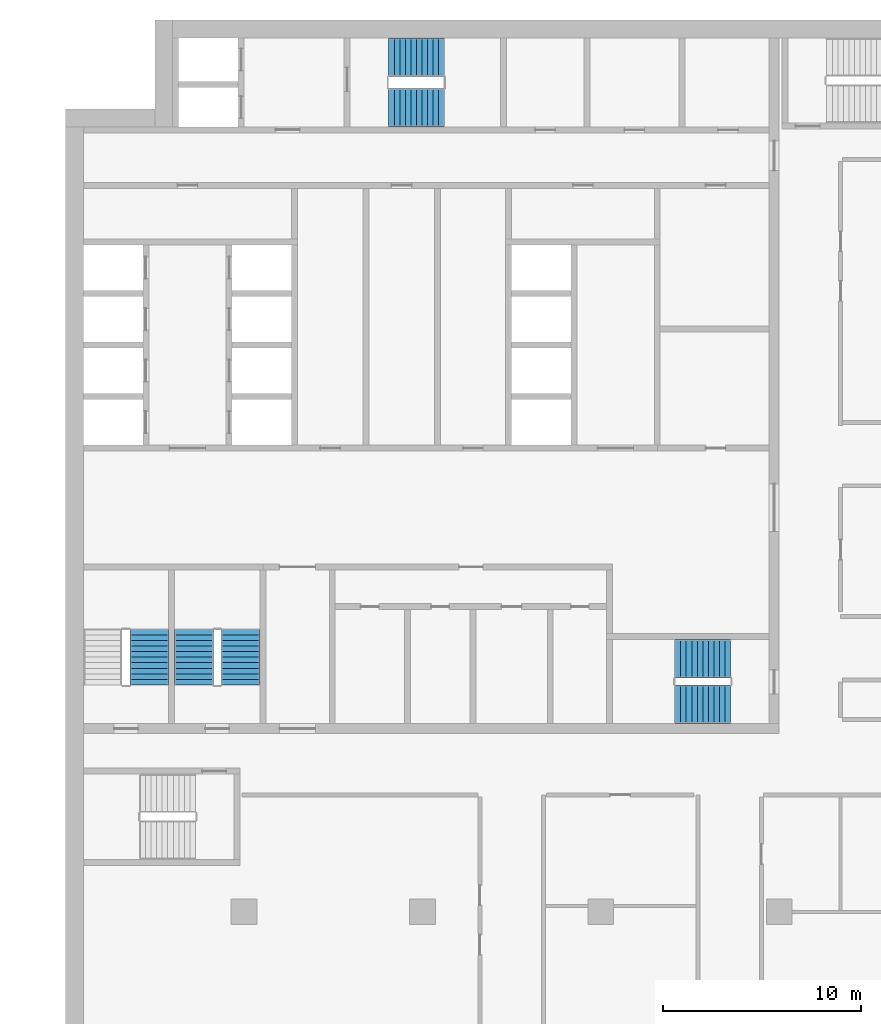
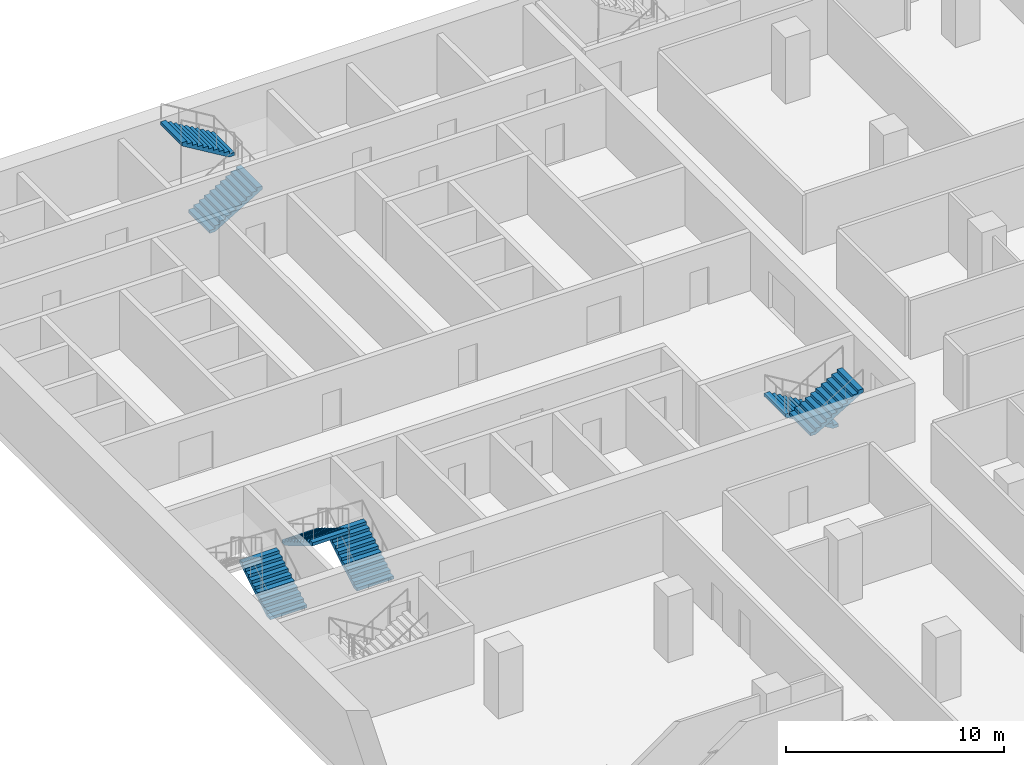
# One storey, part 17 of 23: 7 stair flights, 4 elements without a shape of their own.
"""IFC4 building model written with IfcOpenShell, lengths in metres."""

from ifc_helpers import new_model, si_unit, direction, frame, origin, place, context, subcontext, project, spatial, polyline, outline, extrude, material, type_object, element, aggregate, save


model = new_model("IFC4")

# Units and contexts
model_context = context("Model", 3, precision=1e-05, world=origin(), true_north=direction((0.0, 1.0)))
body_context = subcontext(model_context, "Body", "Model", "MODEL_VIEW")
ifc_project = project(units=[si_unit("LENGTHUNIT", "METRE"), si_unit("AREAUNIT", "SQUARE_METRE"), si_unit("VOLUMEUNIT", "CUBIC_METRE"), si_unit("PLANEANGLEUNIT", "RADIAN"), si_unit("MASSUNIT", "GRAM", prefix="KILO")], contexts=[model_context])

# Site, building, storey
site_placement = place(None, origin())
site = spatial("IfcSite", under=ifc_project, at=site_placement, CompositionType="ELEMENT")
building_placement = place(site_placement, origin())
building = spatial("IfcBuilding", under=site, at=building_placement, Name="Hunhe Ridgeline Campus", CompositionType="ELEMENT")
storey_placement = place(building_placement, frame((0.0, 0.0, 103.300048828125)))
storey = spatial("IfcBuildingStorey", under=building, at=storey_placement, Name="L25", CompositionType="ELEMENT", Elevation=103.300048828125)

# Stair, stair flights
ifc_material = material(Name="Concrete C40", Category="concrete")
stair_type = type_object("IfcStairType", Name="Reinforced concrete dog-leg stair 1950 Concrete C40", PredefinedType="HALF_TURN_STAIR", material=ifc_material)
stair_1_placement = place(storey_placement, origin())
stair_1 = element("IfcStair", 1, at=stair_1_placement, inside=storey, type_object=stair_type, Name="L25 S1", PredefinedType="HALF_TURN_STAIR")
stair_flight_type = type_object("IfcStairFlightType", Name="Reinforced concrete stair flight 1950 Concrete C40", PredefinedType="STRAIGHT", material=ifc_material)
stair_flight_1_placement = place(storey_placement, frame((16.300048828125, 94.574951171875, 0.0), z_axis=(0.0, 0.0, 1.0), x_axis=(1.0, 0.0, 0.0)))
stair_flight_1 = element("IfcStairFlight", 2, at=stair_flight_1_placement, type_object=stair_flight_type, Name="ST1 flight 1", NumberOfRisers=11, NumberOfTreads=10, PredefinedType="STRAIGHT", RiserHeight=0.168181818, TreadLength=0.28, context=body_context, shape_type="SweptSolid", body=[
    extrude(outline(polyline([(0.0, 0.0), (0.0, 0.168212890625), (0.280029296875, 0.168212890625), (0.280029296875, 0.33642578125), (0.56005859375, 0.33642578125), (0.56005859375, 0.504638671875), (0.840087890625, 0.504638671875), (0.840087890625, 0.672607421875), (1.1201171875, 0.672607421875), (1.1201171875, 0.8408203125), (1.39990234375, 0.8408203125), (1.39990234375, 1.009033203125), (1.679931640625, 1.009033203125), (1.679931640625, 1.17724609375), (1.9599609375, 1.17724609375), (1.9599609375, 1.345458984375), (2.239990234375, 1.345458984375), (2.239990234375, 1.513671875), (2.52001953125, 1.513671875), (2.52001953125, 1.681884765625), (2.800048828125, 1.681884765625), (2.800048828125, 1.85009765625), (2.800048828125, 1.5068359375), (0.291015625, 0.0), (0.0, 0.0)])), frame((0.0, 0.97509765625, 0.0), z_axis=(0.0, -1.0, 0.0), x_axis=(1.0, 0.0, 0.0)), (0.0, 0.0, 1.0), 1.949951171875),
    extrude(outline(polyline([(0.030029296875, 0.030029296875), (0.030029296875, 0.13818359375), (0.31005859375, 0.13818359375), (0.31005859375, 0.306396484375), (0.590087890625, 0.306396484375), (0.590087890625, 0.474609375), (0.8701171875, 0.474609375), (0.8701171875, 0.642578125), (1.14990234375, 0.642578125), (1.14990234375, 0.810791015625), (1.429931640625, 0.810791015625), (1.429931640625, 0.97900390625), (1.7099609375, 0.97900390625), (1.7099609375, 1.147216796875), (1.989990234375, 1.147216796875), (1.989990234375, 1.3154296875), (2.27001953125, 1.3154296875), (2.27001953125, 1.483642578125), (2.550048828125, 1.483642578125), (2.550048828125, 1.65185546875), (2.77001953125, 1.65185546875), (2.77001953125, 1.52392578125), (0.28271484375, 0.030029296875), (0.030029296875, 0.030029296875)])), frame((0.0, -0.070068359375, 0.0), z_axis=(0.0, -1.0, 0.0), x_axis=(1.0, 0.0, 0.0)), (0.0, 0.0, 1.0), 0.019775390625),
    extrude(outline(polyline([(0.030029296875, 0.030029296875), (0.030029296875, 0.13818359375), (0.31005859375, 0.13818359375), (0.31005859375, 0.306396484375), (0.590087890625, 0.306396484375), (0.590087890625, 0.474609375), (0.8701171875, 0.474609375), (0.8701171875, 0.642578125), (1.14990234375, 0.642578125), (1.14990234375, 0.810791015625), (1.429931640625, 0.810791015625), (1.429931640625, 0.97900390625), (1.7099609375, 0.97900390625), (1.7099609375, 1.147216796875), (1.989990234375, 1.147216796875), (1.989990234375, 1.3154296875), (2.27001953125, 1.3154296875), (2.27001953125, 1.483642578125), (2.550048828125, 1.483642578125), (2.550048828125, 1.65185546875), (2.77001953125, 1.65185546875), (2.77001953125, 1.52392578125), (0.28271484375, 0.030029296875), (0.030029296875, 0.030029296875)])), frame((0.0, 0.010009765625, 0.0), z_axis=(0.0, -1.0, 0.0), x_axis=(1.0, 0.0, 0.0)), (0.0, 0.0, 1.0), 0.019775390625),
    extrude(outline(polyline([(0.030029296875, 0.030029296875), (0.030029296875, 0.13818359375), (0.31005859375, 0.13818359375), (0.31005859375, 0.306396484375), (0.590087890625, 0.306396484375), (0.590087890625, 0.474609375), (0.8701171875, 0.474609375), (0.8701171875, 0.642578125), (1.14990234375, 0.642578125), (1.14990234375, 0.810791015625), (1.429931640625, 0.810791015625), (1.429931640625, 0.97900390625), (1.7099609375, 0.97900390625), (1.7099609375, 1.147216796875), (1.989990234375, 1.147216796875), (1.989990234375, 1.3154296875), (2.27001953125, 1.3154296875), (2.27001953125, 1.483642578125), (2.550048828125, 1.483642578125), (2.550048828125, 1.65185546875), (2.77001953125, 1.65185546875), (2.77001953125, 1.52392578125), (0.28271484375, 0.030029296875), (0.030029296875, 0.030029296875)])), frame((0.0, 0.090087890625, 0.0), z_axis=(0.0, -1.0, 0.0), x_axis=(1.0, 0.0, 0.0)), (0.0, 0.0, 1.0), 0.019775390625),
])
stair_flight_2_placement = place(storey_placement, frame((19.10009765625, 97.125, 1.849853515625), z_axis=(0.0, 0.0, 1.0), x_axis=(-1.0, 0.0, 0.0)))
stair_flight_2 = element("IfcStairFlight", 3, at=stair_flight_2_placement, type_object=stair_flight_type, Name="ST1 flight 2", NumberOfRisers=11, NumberOfTreads=10, PredefinedType="STRAIGHT", RiserHeight=0.168181818, TreadLength=0.28, context=body_context, shape_type="SweptSolid", body=[
    extrude(outline(polyline([(0.0, 0.0), (0.0, 0.168212890625), (0.280029296875, 0.168212890625), (0.280029296875, 0.33642578125), (0.56005859375, 0.33642578125), (0.56005859375, 0.504638671875), (0.840087890625, 0.504638671875), (0.840087890625, 0.672607421875), (1.1201171875, 0.672607421875), (1.1201171875, 0.8408203125), (1.39990234375, 0.8408203125), (1.39990234375, 1.009033203125), (1.679931640625, 1.009033203125), (1.679931640625, 1.17724609375), (1.9599609375, 1.17724609375), (1.9599609375, 1.345458984375), (2.239990234375, 1.345458984375), (2.239990234375, 1.513671875), (2.52001953125, 1.513671875), (2.52001953125, 1.681884765625), (2.800048828125, 1.681884765625), (2.800048828125, 1.85009765625), (2.800048828125, 1.5068359375), (0.291015625, 0.0), (0.0, 0.0)])), frame((0.0, 0.97509765625, 0.0), z_axis=(0.0, -1.0, 0.0), x_axis=(1.0, 0.0, 0.0)), (0.0, 0.0, 1.0), 1.949951171875),
    extrude(outline(polyline([(0.030029296875, 0.030029296875), (0.030029296875, 0.13818359375), (0.31005859375, 0.13818359375), (0.31005859375, 0.306396484375), (0.590087890625, 0.306396484375), (0.590087890625, 0.474609375), (0.8701171875, 0.474609375), (0.8701171875, 0.642578125), (1.14990234375, 0.642578125), (1.14990234375, 0.810791015625), (1.429931640625, 0.810791015625), (1.429931640625, 0.97900390625), (1.7099609375, 0.97900390625), (1.7099609375, 1.147216796875), (1.989990234375, 1.147216796875), (1.989990234375, 1.3154296875), (2.27001953125, 1.3154296875), (2.27001953125, 1.483642578125), (2.550048828125, 1.483642578125), (2.550048828125, 1.65185546875), (2.77001953125, 1.65185546875), (2.77001953125, 1.52392578125), (0.28271484375, 0.030029296875), (0.030029296875, 0.030029296875)])), frame((0.0, -0.070068359375, 0.0), z_axis=(0.0, -1.0, 0.0), x_axis=(1.0, 0.0, 0.0)), (0.0, 0.0, 1.0), 0.019775390625),
    extrude(outline(polyline([(0.030029296875, 0.030029296875), (0.030029296875, 0.13818359375), (0.31005859375, 0.13818359375), (0.31005859375, 0.306396484375), (0.590087890625, 0.306396484375), (0.590087890625, 0.474609375), (0.8701171875, 0.474609375), (0.8701171875, 0.642578125), (1.14990234375, 0.642578125), (1.14990234375, 0.810791015625), (1.429931640625, 0.810791015625), (1.429931640625, 0.97900390625), (1.7099609375, 0.97900390625), (1.7099609375, 1.147216796875), (1.989990234375, 1.147216796875), (1.989990234375, 1.3154296875), (2.27001953125, 1.3154296875), (2.27001953125, 1.483642578125), (2.550048828125, 1.483642578125), (2.550048828125, 1.65185546875), (2.77001953125, 1.65185546875), (2.77001953125, 1.52392578125), (0.28271484375, 0.030029296875), (0.030029296875, 0.030029296875)])), frame((0.0, 0.010009765625, 0.0), z_axis=(0.0, -1.0, 0.0), x_axis=(1.0, 0.0, 0.0)), (0.0, 0.0, 1.0), 0.019775390625),
    extrude(outline(polyline([(0.030029296875, 0.030029296875), (0.030029296875, 0.13818359375), (0.31005859375, 0.13818359375), (0.31005859375, 0.306396484375), (0.590087890625, 0.306396484375), (0.590087890625, 0.474609375), (0.8701171875, 0.474609375), (0.8701171875, 0.642578125), (1.14990234375, 0.642578125), (1.14990234375, 0.810791015625), (1.429931640625, 0.810791015625), (1.429931640625, 0.97900390625), (1.7099609375, 0.97900390625), (1.7099609375, 1.147216796875), (1.989990234375, 1.147216796875), (1.989990234375, 1.3154296875), (2.27001953125, 1.3154296875), (2.27001953125, 1.483642578125), (2.550048828125, 1.483642578125), (2.550048828125, 1.65185546875), (2.77001953125, 1.65185546875), (2.77001953125, 1.52392578125), (0.28271484375, 0.030029296875), (0.030029296875, 0.030029296875)])), frame((0.0, 0.090087890625, 0.0), z_axis=(0.0, -1.0, 0.0), x_axis=(1.0, 0.0, 0.0)), (0.0, 0.0, 1.0), 0.019775390625),
])
aggregate(stair_1, [stair_flight_1, stair_flight_2])

stair_2_placement = place(storey_placement, origin())
stair_2 = element("IfcStair", 4, at=stair_2_placement, inside=storey, type_object=stair_type, Name="L25 S2", PredefinedType="HALF_TURN_STAIR")
stair_flight_3_placement = place(storey_placement, frame((33.550048828125, 66.77490234375, 0.0), z_axis=(0.0, 0.0, 1.0), x_axis=(-1.0, 0.0, 0.0)))
stair_flight_3 = element("IfcStairFlight", 5, at=stair_flight_3_placement, type_object=stair_flight_type, Name="ST2 flight 1", NumberOfRisers=11, NumberOfTreads=10, PredefinedType="STRAIGHT", RiserHeight=0.168181818, TreadLength=0.28, context=body_context, shape_type="SweptSolid", body=[
    extrude(outline(polyline([(0.0, 0.0), (0.0, 0.168212890625), (0.280029296875, 0.168212890625), (0.280029296875, 0.33642578125), (0.56005859375, 0.33642578125), (0.56005859375, 0.504638671875), (0.840087890625, 0.504638671875), (0.840087890625, 0.672607421875), (1.1201171875, 0.672607421875), (1.1201171875, 0.8408203125), (1.39990234375, 0.8408203125), (1.39990234375, 1.009033203125), (1.679931640625, 1.009033203125), (1.679931640625, 1.17724609375), (1.9599609375, 1.17724609375), (1.9599609375, 1.345458984375), (2.239990234375, 1.345458984375), (2.239990234375, 1.513671875), (2.52001953125, 1.513671875), (2.52001953125, 1.681884765625), (2.800048828125, 1.681884765625), (2.800048828125, 1.85009765625), (2.800048828125, 1.5068359375), (0.291015625, 0.0), (0.0, 0.0)])), frame((0.0, 0.97509765625, 0.0), z_axis=(0.0, -1.0, 0.0), x_axis=(1.0, 0.0, 0.0)), (0.0, 0.0, 1.0), 1.949951171875),
    extrude(outline(polyline([(0.030029296875, 0.030029296875), (0.030029296875, 0.13818359375), (0.31005859375, 0.13818359375), (0.31005859375, 0.306396484375), (0.590087890625, 0.306396484375), (0.590087890625, 0.474609375), (0.8701171875, 0.474609375), (0.8701171875, 0.642578125), (1.14990234375, 0.642578125), (1.14990234375, 0.810791015625), (1.429931640625, 0.810791015625), (1.429931640625, 0.97900390625), (1.7099609375, 0.97900390625), (1.7099609375, 1.147216796875), (1.989990234375, 1.147216796875), (1.989990234375, 1.3154296875), (2.27001953125, 1.3154296875), (2.27001953125, 1.483642578125), (2.550048828125, 1.483642578125), (2.550048828125, 1.65185546875), (2.77001953125, 1.65185546875), (2.77001953125, 1.52392578125), (0.28271484375, 0.030029296875), (0.030029296875, 0.030029296875)])), frame((0.0, -0.070068359375, 0.0), z_axis=(0.0, -1.0, 0.0), x_axis=(1.0, 0.0, 0.0)), (0.0, 0.0, 1.0), 0.019775390625),
    extrude(outline(polyline([(0.030029296875, 0.030029296875), (0.030029296875, 0.13818359375), (0.31005859375, 0.13818359375), (0.31005859375, 0.306396484375), (0.590087890625, 0.306396484375), (0.590087890625, 0.474609375), (0.8701171875, 0.474609375), (0.8701171875, 0.642578125), (1.14990234375, 0.642578125), (1.14990234375, 0.810791015625), (1.429931640625, 0.810791015625), (1.429931640625, 0.97900390625), (1.7099609375, 0.97900390625), (1.7099609375, 1.147216796875), (1.989990234375, 1.147216796875), (1.989990234375, 1.3154296875), (2.27001953125, 1.3154296875), (2.27001953125, 1.483642578125), (2.550048828125, 1.483642578125), (2.550048828125, 1.65185546875), (2.77001953125, 1.65185546875), (2.77001953125, 1.52392578125), (0.28271484375, 0.030029296875), (0.030029296875, 0.030029296875)])), frame((0.0, 0.010009765625, 0.0), z_axis=(0.0, -1.0, 0.0), x_axis=(1.0, 0.0, 0.0)), (0.0, 0.0, 1.0), 0.019775390625),
    extrude(outline(polyline([(0.030029296875, 0.030029296875), (0.030029296875, 0.13818359375), (0.31005859375, 0.13818359375), (0.31005859375, 0.306396484375), (0.590087890625, 0.306396484375), (0.590087890625, 0.474609375), (0.8701171875, 0.474609375), (0.8701171875, 0.642578125), (1.14990234375, 0.642578125), (1.14990234375, 0.810791015625), (1.429931640625, 0.810791015625), (1.429931640625, 0.97900390625), (1.7099609375, 0.97900390625), (1.7099609375, 1.147216796875), (1.989990234375, 1.147216796875), (1.989990234375, 1.3154296875), (2.27001953125, 1.3154296875), (2.27001953125, 1.483642578125), (2.550048828125, 1.483642578125), (2.550048828125, 1.65185546875), (2.77001953125, 1.65185546875), (2.77001953125, 1.52392578125), (0.28271484375, 0.030029296875), (0.030029296875, 0.030029296875)])), frame((0.0, 0.090087890625, 0.0), z_axis=(0.0, -1.0, 0.0), x_axis=(1.0, 0.0, 0.0)), (0.0, 0.0, 1.0), 0.019775390625),
])
stair_flight_4_placement = place(storey_placement, frame((30.75, 64.47509765625, 1.849853515625), z_axis=(0.0, 0.0, 1.0), x_axis=(1.0, 0.0, 0.0)))
stair_flight_4 = element("IfcStairFlight", 6, at=stair_flight_4_placement, type_object=stair_flight_type, Name="ST2 flight 2", NumberOfRisers=11, NumberOfTreads=10, PredefinedType="STRAIGHT", RiserHeight=0.168181818, TreadLength=0.28, context=body_context, shape_type="SweptSolid", body=[
    extrude(outline(polyline([(0.0, 0.0), (0.0, 0.168212890625), (0.280029296875, 0.168212890625), (0.280029296875, 0.33642578125), (0.56005859375, 0.33642578125), (0.56005859375, 0.504638671875), (0.840087890625, 0.504638671875), (0.840087890625, 0.672607421875), (1.1201171875, 0.672607421875), (1.1201171875, 0.8408203125), (1.39990234375, 0.8408203125), (1.39990234375, 1.009033203125), (1.679931640625, 1.009033203125), (1.679931640625, 1.17724609375), (1.9599609375, 1.17724609375), (1.9599609375, 1.345458984375), (2.239990234375, 1.345458984375), (2.239990234375, 1.513671875), (2.52001953125, 1.513671875), (2.52001953125, 1.681884765625), (2.800048828125, 1.681884765625), (2.800048828125, 1.85009765625), (2.800048828125, 1.5068359375), (0.291015625, 0.0), (0.0, 0.0)])), frame((0.0, 0.97509765625, 0.0), z_axis=(0.0, -1.0, 0.0), x_axis=(1.0, 0.0, 0.0)), (0.0, 0.0, 1.0), 1.949951171875),
    extrude(outline(polyline([(0.030029296875, 0.030029296875), (0.030029296875, 0.13818359375), (0.31005859375, 0.13818359375), (0.31005859375, 0.306396484375), (0.590087890625, 0.306396484375), (0.590087890625, 0.474609375), (0.8701171875, 0.474609375), (0.8701171875, 0.642578125), (1.14990234375, 0.642578125), (1.14990234375, 0.810791015625), (1.429931640625, 0.810791015625), (1.429931640625, 0.97900390625), (1.7099609375, 0.97900390625), (1.7099609375, 1.147216796875), (1.989990234375, 1.147216796875), (1.989990234375, 1.3154296875), (2.27001953125, 1.3154296875), (2.27001953125, 1.483642578125), (2.550048828125, 1.483642578125), (2.550048828125, 1.65185546875), (2.77001953125, 1.65185546875), (2.77001953125, 1.52392578125), (0.28271484375, 0.030029296875), (0.030029296875, 0.030029296875)])), frame((0.0, -0.070068359375, 0.0), z_axis=(0.0, -1.0, 0.0), x_axis=(1.0, 0.0, 0.0)), (0.0, 0.0, 1.0), 0.019775390625),
    extrude(outline(polyline([(0.030029296875, 0.030029296875), (0.030029296875, 0.13818359375), (0.31005859375, 0.13818359375), (0.31005859375, 0.306396484375), (0.590087890625, 0.306396484375), (0.590087890625, 0.474609375), (0.8701171875, 0.474609375), (0.8701171875, 0.642578125), (1.14990234375, 0.642578125), (1.14990234375, 0.810791015625), (1.429931640625, 0.810791015625), (1.429931640625, 0.97900390625), (1.7099609375, 0.97900390625), (1.7099609375, 1.147216796875), (1.989990234375, 1.147216796875), (1.989990234375, 1.3154296875), (2.27001953125, 1.3154296875), (2.27001953125, 1.483642578125), (2.550048828125, 1.483642578125), (2.550048828125, 1.65185546875), (2.77001953125, 1.65185546875), (2.77001953125, 1.52392578125), (0.28271484375, 0.030029296875), (0.030029296875, 0.030029296875)])), frame((0.0, 0.010009765625, 0.0), z_axis=(0.0, -1.0, 0.0), x_axis=(1.0, 0.0, 0.0)), (0.0, 0.0, 1.0), 0.019775390625),
    extrude(outline(polyline([(0.030029296875, 0.030029296875), (0.030029296875, 0.13818359375), (0.31005859375, 0.13818359375), (0.31005859375, 0.306396484375), (0.590087890625, 0.306396484375), (0.590087890625, 0.474609375), (0.8701171875, 0.474609375), (0.8701171875, 0.642578125), (1.14990234375, 0.642578125), (1.14990234375, 0.810791015625), (1.429931640625, 0.810791015625), (1.429931640625, 0.97900390625), (1.7099609375, 0.97900390625), (1.7099609375, 1.147216796875), (1.989990234375, 1.147216796875), (1.989990234375, 1.3154296875), (2.27001953125, 1.3154296875), (2.27001953125, 1.483642578125), (2.550048828125, 1.483642578125), (2.550048828125, 1.65185546875), (2.77001953125, 1.65185546875), (2.77001953125, 1.52392578125), (0.28271484375, 0.030029296875), (0.030029296875, 0.030029296875)])), frame((0.0, 0.090087890625, 0.0), z_axis=(0.0, -1.0, 0.0), x_axis=(1.0, 0.0, 0.0)), (0.0, 0.0, 1.0), 0.019775390625),
])
aggregate(stair_2, [stair_flight_3, stair_flight_4])

# Stair, stair flight
stair_3_placement = place(storey_placement, origin())
stair_3 = element("IfcStair", 7, at=stair_3_placement, inside=storey, type_object=stair_type, Name="L25 S3", PredefinedType="HALF_TURN_STAIR")
stair_flight_5_placement = place(storey_placement, frame((4.22509765625, 65.449951171875, 0.0), z_axis=(0.0, 0.0, 1.0), x_axis=(0.0, 1.0, 0.0)))
stair_flight_5 = element("IfcStairFlight", 8, at=stair_flight_5_placement, type_object=stair_flight_type, Name="ST3 flight 1", NumberOfRisers=11, NumberOfTreads=10, PredefinedType="STRAIGHT", RiserHeight=0.168181818, TreadLength=0.28, context=body_context, shape_type="SweptSolid", body=[
    extrude(outline(polyline([(0.0, 0.0), (0.0, 0.168212890625), (0.280029296875, 0.168212890625), (0.280029296875, 0.33642578125), (0.56005859375, 0.33642578125), (0.56005859375, 0.504638671875), (0.840087890625, 0.504638671875), (0.840087890625, 0.672607421875), (1.1201171875, 0.672607421875), (1.1201171875, 0.8408203125), (1.39990234375, 0.8408203125), (1.39990234375, 1.009033203125), (1.679931640625, 1.009033203125), (1.679931640625, 1.17724609375), (1.9599609375, 1.17724609375), (1.9599609375, 1.345458984375), (2.239990234375, 1.345458984375), (2.239990234375, 1.513671875), (2.52001953125, 1.513671875), (2.52001953125, 1.681884765625), (2.800048828125, 1.681884765625), (2.800048828125, 1.85009765625), (2.800048828125, 1.5068359375), (0.291015625, 0.0), (0.0, 0.0)])), frame((0.0, 0.97509765625, 0.0), z_axis=(0.0, -1.0, 0.0), x_axis=(1.0, 0.0, 0.0)), (0.0, 0.0, 1.0), 1.949951171875),
    extrude(outline(polyline([(0.030029296875, 0.030029296875), (0.030029296875, 0.13818359375), (0.31005859375, 0.13818359375), (0.31005859375, 0.306396484375), (0.590087890625, 0.306396484375), (0.590087890625, 0.474609375), (0.8701171875, 0.474609375), (0.8701171875, 0.642578125), (1.14990234375, 0.642578125), (1.14990234375, 0.810791015625), (1.429931640625, 0.810791015625), (1.429931640625, 0.97900390625), (1.7099609375, 0.97900390625), (1.7099609375, 1.147216796875), (1.989990234375, 1.147216796875), (1.989990234375, 1.3154296875), (2.27001953125, 1.3154296875), (2.27001953125, 1.483642578125), (2.550048828125, 1.483642578125), (2.550048828125, 1.65185546875), (2.77001953125, 1.65185546875), (2.77001953125, 1.52392578125), (0.28271484375, 0.030029296875), (0.030029296875, 0.030029296875)])), frame((0.0, -0.070068359375, 0.0), z_axis=(0.0, -1.0, 0.0), x_axis=(1.0, 0.0, 0.0)), (0.0, 0.0, 1.0), 0.019775390625),
    extrude(outline(polyline([(0.030029296875, 0.030029296875), (0.030029296875, 0.13818359375), (0.31005859375, 0.13818359375), (0.31005859375, 0.306396484375), (0.590087890625, 0.306396484375), (0.590087890625, 0.474609375), (0.8701171875, 0.474609375), (0.8701171875, 0.642578125), (1.14990234375, 0.642578125), (1.14990234375, 0.810791015625), (1.429931640625, 0.810791015625), (1.429931640625, 0.97900390625), (1.7099609375, 0.97900390625), (1.7099609375, 1.147216796875), (1.989990234375, 1.147216796875), (1.989990234375, 1.3154296875), (2.27001953125, 1.3154296875), (2.27001953125, 1.483642578125), (2.550048828125, 1.483642578125), (2.550048828125, 1.65185546875), (2.77001953125, 1.65185546875), (2.77001953125, 1.52392578125), (0.28271484375, 0.030029296875), (0.030029296875, 0.030029296875)])), frame((0.0, 0.010009765625, 0.0), z_axis=(0.0, -1.0, 0.0), x_axis=(1.0, 0.0, 0.0)), (0.0, 0.0, 1.0), 0.019775390625),
    extrude(outline(polyline([(0.030029296875, 0.030029296875), (0.030029296875, 0.13818359375), (0.31005859375, 0.13818359375), (0.31005859375, 0.306396484375), (0.590087890625, 0.306396484375), (0.590087890625, 0.474609375), (0.8701171875, 0.474609375), (0.8701171875, 0.642578125), (1.14990234375, 0.642578125), (1.14990234375, 0.810791015625), (1.429931640625, 0.810791015625), (1.429931640625, 0.97900390625), (1.7099609375, 0.97900390625), (1.7099609375, 1.147216796875), (1.989990234375, 1.147216796875), (1.989990234375, 1.3154296875), (2.27001953125, 1.3154296875), (2.27001953125, 1.483642578125), (2.550048828125, 1.483642578125), (2.550048828125, 1.65185546875), (2.77001953125, 1.65185546875), (2.77001953125, 1.52392578125), (0.28271484375, 0.030029296875), (0.030029296875, 0.030029296875)])), frame((0.0, 0.090087890625, 0.0), z_axis=(0.0, -1.0, 0.0), x_axis=(1.0, 0.0, 0.0)), (0.0, 0.0, 1.0), 0.019775390625),
])
aggregate(stair_3, [stair_flight_5])

# Stair, stair flights
stair_4_placement = place(storey_placement, origin())
stair_4 = element("IfcStair", 9, at=stair_4_placement, inside=storey, type_object=stair_type, Name="L25 S4", PredefinedType="HALF_TURN_STAIR")
stair_flight_6_placement = place(storey_placement, frame((8.824951171875, 65.449951171875, 0.0), z_axis=(0.0, 0.0, 1.0), x_axis=(0.0, 1.0, 0.0)))
stair_flight_6 = element("IfcStairFlight", 10, at=stair_flight_6_placement, type_object=stair_flight_type, Name="ST4 flight 1", NumberOfRisers=11, NumberOfTreads=10, PredefinedType="STRAIGHT", RiserHeight=0.168181818, TreadLength=0.28, context=body_context, shape_type="SweptSolid", body=[
    extrude(outline(polyline([(0.0, 0.0), (0.0, 0.168212890625), (0.280029296875, 0.168212890625), (0.280029296875, 0.33642578125), (0.56005859375, 0.33642578125), (0.56005859375, 0.504638671875), (0.840087890625, 0.504638671875), (0.840087890625, 0.672607421875), (1.1201171875, 0.672607421875), (1.1201171875, 0.8408203125), (1.39990234375, 0.8408203125), (1.39990234375, 1.009033203125), (1.679931640625, 1.009033203125), (1.679931640625, 1.17724609375), (1.9599609375, 1.17724609375), (1.9599609375, 1.345458984375), (2.239990234375, 1.345458984375), (2.239990234375, 1.513671875), (2.52001953125, 1.513671875), (2.52001953125, 1.681884765625), (2.800048828125, 1.681884765625), (2.800048828125, 1.85009765625), (2.800048828125, 1.5068359375), (0.291015625, 0.0), (0.0, 0.0)])), frame((0.0, 0.97509765625, 0.0), z_axis=(0.0, -1.0, 0.0), x_axis=(1.0, 0.0, 0.0)), (0.0, 0.0, 1.0), 1.949951171875),
    extrude(outline(polyline([(0.030029296875, 0.030029296875), (0.030029296875, 0.13818359375), (0.31005859375, 0.13818359375), (0.31005859375, 0.306396484375), (0.590087890625, 0.306396484375), (0.590087890625, 0.474609375), (0.8701171875, 0.474609375), (0.8701171875, 0.642578125), (1.14990234375, 0.642578125), (1.14990234375, 0.810791015625), (1.429931640625, 0.810791015625), (1.429931640625, 0.97900390625), (1.7099609375, 0.97900390625), (1.7099609375, 1.147216796875), (1.989990234375, 1.147216796875), (1.989990234375, 1.3154296875), (2.27001953125, 1.3154296875), (2.27001953125, 1.483642578125), (2.550048828125, 1.483642578125), (2.550048828125, 1.65185546875), (2.77001953125, 1.65185546875), (2.77001953125, 1.52392578125), (0.28271484375, 0.030029296875), (0.030029296875, 0.030029296875)])), frame((0.0, -0.070068359375, 0.0), z_axis=(0.0, -1.0, 0.0), x_axis=(1.0, 0.0, 0.0)), (0.0, 0.0, 1.0), 0.019775390625),
    extrude(outline(polyline([(0.030029296875, 0.030029296875), (0.030029296875, 0.13818359375), (0.31005859375, 0.13818359375), (0.31005859375, 0.306396484375), (0.590087890625, 0.306396484375), (0.590087890625, 0.474609375), (0.8701171875, 0.474609375), (0.8701171875, 0.642578125), (1.14990234375, 0.642578125), (1.14990234375, 0.810791015625), (1.429931640625, 0.810791015625), (1.429931640625, 0.97900390625), (1.7099609375, 0.97900390625), (1.7099609375, 1.147216796875), (1.989990234375, 1.147216796875), (1.989990234375, 1.3154296875), (2.27001953125, 1.3154296875), (2.27001953125, 1.483642578125), (2.550048828125, 1.483642578125), (2.550048828125, 1.65185546875), (2.77001953125, 1.65185546875), (2.77001953125, 1.52392578125), (0.28271484375, 0.030029296875), (0.030029296875, 0.030029296875)])), frame((0.0, 0.010009765625, 0.0), z_axis=(0.0, -1.0, 0.0), x_axis=(1.0, 0.0, 0.0)), (0.0, 0.0, 1.0), 0.019775390625),
    extrude(outline(polyline([(0.030029296875, 0.030029296875), (0.030029296875, 0.13818359375), (0.31005859375, 0.13818359375), (0.31005859375, 0.306396484375), (0.590087890625, 0.306396484375), (0.590087890625, 0.474609375), (0.8701171875, 0.474609375), (0.8701171875, 0.642578125), (1.14990234375, 0.642578125), (1.14990234375, 0.810791015625), (1.429931640625, 0.810791015625), (1.429931640625, 0.97900390625), (1.7099609375, 0.97900390625), (1.7099609375, 1.147216796875), (1.989990234375, 1.147216796875), (1.989990234375, 1.3154296875), (2.27001953125, 1.3154296875), (2.27001953125, 1.483642578125), (2.550048828125, 1.483642578125), (2.550048828125, 1.65185546875), (2.77001953125, 1.65185546875), (2.77001953125, 1.52392578125), (0.28271484375, 0.030029296875), (0.030029296875, 0.030029296875)])), frame((0.0, 0.090087890625, 0.0), z_axis=(0.0, -1.0, 0.0), x_axis=(1.0, 0.0, 0.0)), (0.0, 0.0, 1.0), 0.019775390625),
])
stair_flight_7_placement = place(storey_placement, frame((6.47509765625, 68.25, 1.849853515625), z_axis=(0.0, 0.0, 1.0), x_axis=(0.0, -1.0, 0.0)))
stair_flight_7 = element("IfcStairFlight", 11, at=stair_flight_7_placement, type_object=stair_flight_type, Name="ST4 flight 2", NumberOfRisers=11, NumberOfTreads=10, PredefinedType="STRAIGHT", RiserHeight=0.168181818, TreadLength=0.28, context=body_context, shape_type="SweptSolid", body=[
    extrude(outline(polyline([(0.0, 0.0), (0.0, 0.168212890625), (0.280029296875, 0.168212890625), (0.280029296875, 0.33642578125), (0.56005859375, 0.33642578125), (0.56005859375, 0.504638671875), (0.840087890625, 0.504638671875), (0.840087890625, 0.672607421875), (1.1201171875, 0.672607421875), (1.1201171875, 0.8408203125), (1.39990234375, 0.8408203125), (1.39990234375, 1.009033203125), (1.679931640625, 1.009033203125), (1.679931640625, 1.17724609375), (1.9599609375, 1.17724609375), (1.9599609375, 1.345458984375), (2.239990234375, 1.345458984375), (2.239990234375, 1.513671875), (2.52001953125, 1.513671875), (2.52001953125, 1.681884765625), (2.800048828125, 1.681884765625), (2.800048828125, 1.85009765625), (2.800048828125, 1.5068359375), (0.291015625, 0.0), (0.0, 0.0)])), frame((0.0, 0.97509765625, 0.0), z_axis=(0.0, -1.0, 0.0), x_axis=(1.0, 0.0, 0.0)), (0.0, 0.0, 1.0), 1.949951171875),
    extrude(outline(polyline([(0.030029296875, 0.030029296875), (0.030029296875, 0.13818359375), (0.31005859375, 0.13818359375), (0.31005859375, 0.306396484375), (0.590087890625, 0.306396484375), (0.590087890625, 0.474609375), (0.8701171875, 0.474609375), (0.8701171875, 0.642578125), (1.14990234375, 0.642578125), (1.14990234375, 0.810791015625), (1.429931640625, 0.810791015625), (1.429931640625, 0.97900390625), (1.7099609375, 0.97900390625), (1.7099609375, 1.147216796875), (1.989990234375, 1.147216796875), (1.989990234375, 1.3154296875), (2.27001953125, 1.3154296875), (2.27001953125, 1.483642578125), (2.550048828125, 1.483642578125), (2.550048828125, 1.65185546875), (2.77001953125, 1.65185546875), (2.77001953125, 1.52392578125), (0.28271484375, 0.030029296875), (0.030029296875, 0.030029296875)])), frame((0.0, -0.070068359375, 0.0), z_axis=(0.0, -1.0, 0.0), x_axis=(1.0, 0.0, 0.0)), (0.0, 0.0, 1.0), 0.019775390625),
    extrude(outline(polyline([(0.030029296875, 0.030029296875), (0.030029296875, 0.13818359375), (0.31005859375, 0.13818359375), (0.31005859375, 0.306396484375), (0.590087890625, 0.306396484375), (0.590087890625, 0.474609375), (0.8701171875, 0.474609375), (0.8701171875, 0.642578125), (1.14990234375, 0.642578125), (1.14990234375, 0.810791015625), (1.429931640625, 0.810791015625), (1.429931640625, 0.97900390625), (1.7099609375, 0.97900390625), (1.7099609375, 1.147216796875), (1.989990234375, 1.147216796875), (1.989990234375, 1.3154296875), (2.27001953125, 1.3154296875), (2.27001953125, 1.483642578125), (2.550048828125, 1.483642578125), (2.550048828125, 1.65185546875), (2.77001953125, 1.65185546875), (2.77001953125, 1.52392578125), (0.28271484375, 0.030029296875), (0.030029296875, 0.030029296875)])), frame((0.0, 0.010009765625, 0.0), z_axis=(0.0, -1.0, 0.0), x_axis=(1.0, 0.0, 0.0)), (0.0, 0.0, 1.0), 0.019775390625),
    extrude(outline(polyline([(0.030029296875, 0.030029296875), (0.030029296875, 0.13818359375), (0.31005859375, 0.13818359375), (0.31005859375, 0.306396484375), (0.590087890625, 0.306396484375), (0.590087890625, 0.474609375), (0.8701171875, 0.474609375), (0.8701171875, 0.642578125), (1.14990234375, 0.642578125), (1.14990234375, 0.810791015625), (1.429931640625, 0.810791015625), (1.429931640625, 0.97900390625), (1.7099609375, 0.97900390625), (1.7099609375, 1.147216796875), (1.989990234375, 1.147216796875), (1.989990234375, 1.3154296875), (2.27001953125, 1.3154296875), (2.27001953125, 1.483642578125), (2.550048828125, 1.483642578125), (2.550048828125, 1.65185546875), (2.77001953125, 1.65185546875), (2.77001953125, 1.52392578125), (0.28271484375, 0.030029296875), (0.030029296875, 0.030029296875)])), frame((0.0, 0.090087890625, 0.0), z_axis=(0.0, -1.0, 0.0), x_axis=(1.0, 0.0, 0.0)), (0.0, 0.0, 1.0), 0.019775390625),
])
aggregate(stair_4, [stair_flight_6, stair_flight_7])

save(model, "model.ifc")
